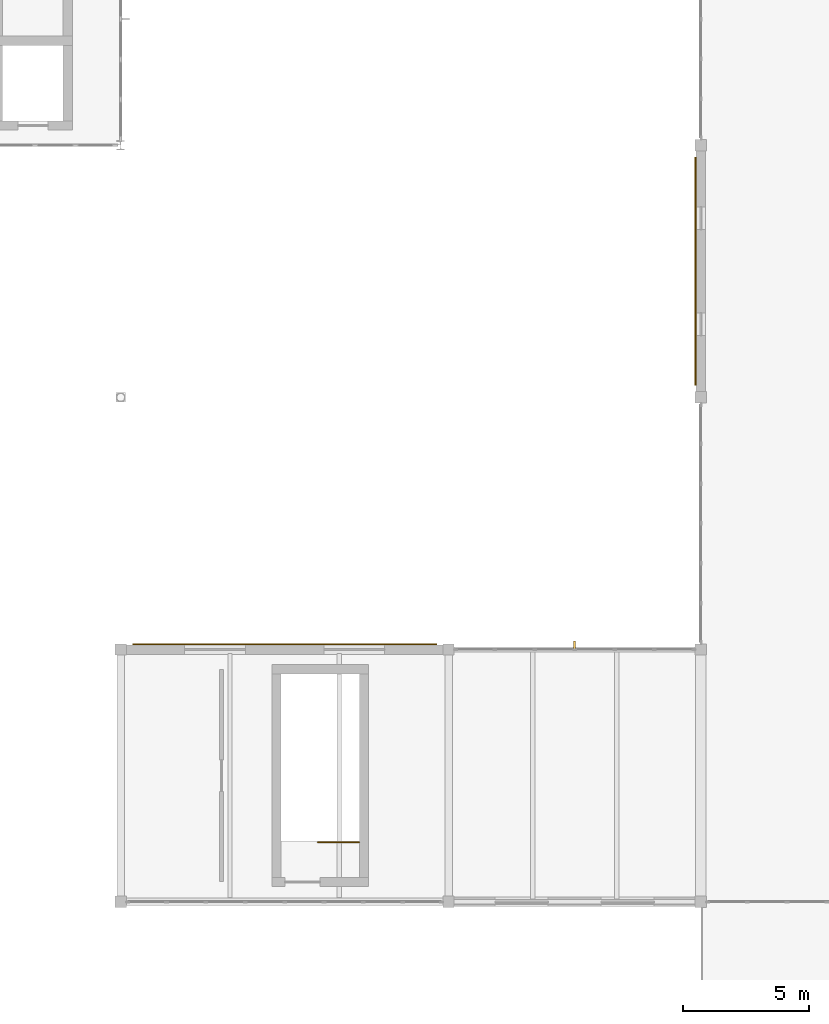
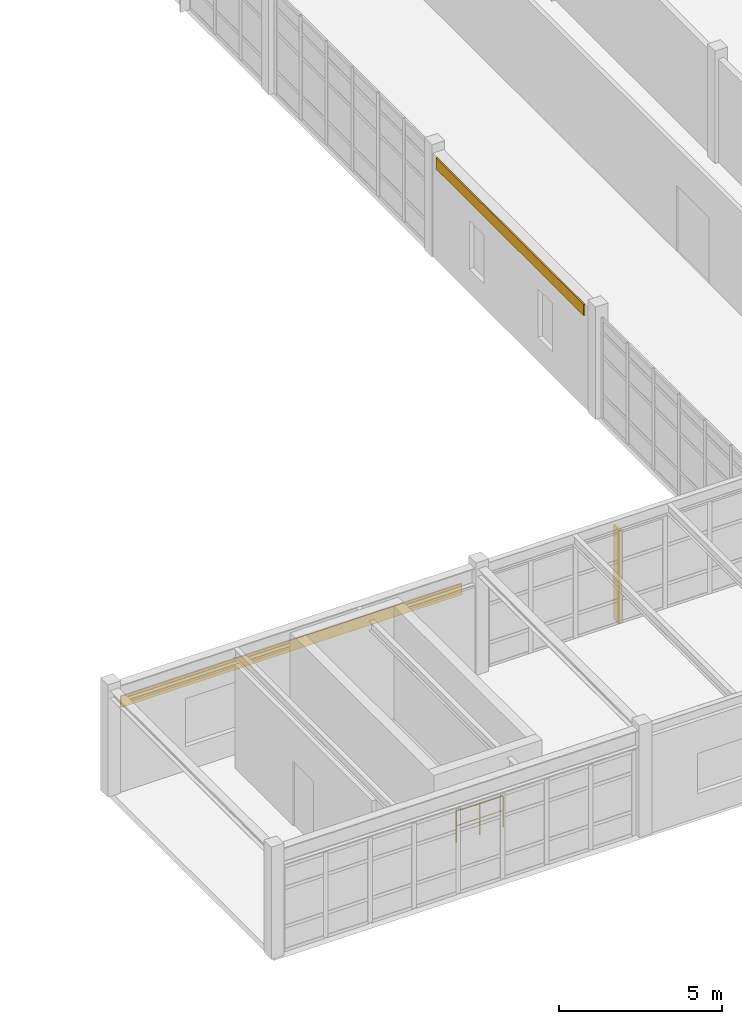
# One storey, part 120 of 122: 2 coverings, 1 railing, 1 shading device.
"""IFC4 building model written with IfcOpenShell, lengths in metres."""

from ifc_helpers import new_model, si_unit, direction, frame, origin, origin_2d, place, context, subcontext, project, spatial, polyline, rectangle, circle, outline, extrude, material, layer, layer_set, type_object, element, save


model = new_model("IFC4")

# Units and contexts
model_context = context("Model", 3, precision=1e-05, world=origin(), true_north=direction((0.0, 1.0)))
body_context = subcontext(model_context, "Body", "Model", "MODEL_VIEW")
ifc_project = project(units=[si_unit("LENGTHUNIT", "METRE"), si_unit("AREAUNIT", "SQUARE_METRE"), si_unit("VOLUMEUNIT", "CUBIC_METRE"), si_unit("PLANEANGLEUNIT", "RADIAN"), si_unit("MASSUNIT", "GRAM", prefix="KILO"), si_unit("THERMODYNAMICTEMPERATUREUNIT", "KELVIN"), si_unit("POWERUNIT", "WATT")], contexts=[model_context])

# Site, building, storey
site_placement = place(None, origin())
site = spatial("IfcSite", under=ifc_project, at=site_placement, CompositionType="ELEMENT")
building_placement = place(site_placement, origin())
building = spatial("IfcBuilding", under=site, at=building_placement, Name="Korenveer Ferry Terminal", CompositionType="ELEMENT")
storey_placement = place(building_placement, frame((0.0, 0.0, 10.199951171875)))
storey = spatial("IfcBuildingStorey", under=building, at=storey_placement, Name="L02", CompositionType="ELEMENT", Elevation=10.199951171875)

# Coverings
ifc_material_1 = material(Name="Carved Belgian bluestone spandrel cladding", Category="masonry")
ifc_layer = layer(ifc_material_1, 0.050048828125)
ifc_layer_set = layer_set([ifc_layer], Name="Carved Belgian bluestone spandrel cladding")
covering_type = type_object("IfcCoveringType", Name="ENV-COV-STONE", PredefinedType="CLADDING", material=ifc_layer_set)
covering_1_placement = place(storey_placement, frame((0.0, 0.0, 2.860107421875)))
element("IfcCovering", 1, at=covering_1_placement, inside=storey, type_object=covering_type, Name="Belgian bluestone spandrel band 20", PredefinedType="CLADDING", context=body_context, shape_type="SweptSolid", body=[
    extrude(outline(polyline([(123.47509765625, 30.18505859375), (135.52490234375, 30.18505859375), (135.52490234375, 30.235107421875), (123.47509765625, 30.235107421875), (123.47509765625, 30.18505859375)])), origin(), (0.0, 0.0, 1.0), 0.419921875),
])
covering_2_placement = place(storey_placement, frame((0.0, 0.0, 3.4599609375)))
element("IfcCovering", 2, at=covering_2_placement, inside=storey, type_object=covering_type, Name="Belgian bluestone spandrel band 22", PredefinedType="CLADDING", context=body_context, shape_type="SweptSolid", body=[
    extrude(outline(polyline([(145.764892578125, 40.47509765625), (145.81494140625, 40.47509765625), (145.81494140625, 49.52490234375), (145.764892578125, 49.52490234375), (145.764892578125, 40.47509765625)])), origin(), (0.0, 0.0, 1.0), 0.420166015625),
])

# Shading device
ifc_material_2 = material(Name="Anodised bronze aluminium solar fin", Category="aluminium")
shading_device_type = type_object("IfcShadingDeviceType", Name="ENV-SHD-FIN", PredefinedType="JALOUSIE", material=ifc_material_2)
shading_device_placement = place(storey_placement, frame((141.0, 30.159912109375, -0.02001953125), z_axis=(0.0, 0.0, 1.0), x_axis=(0.0, 1.0, 0.0)))
element("IfcShadingDevice", 3, at=shading_device_placement, inside=storey, type_object=shading_device_type, Name="Gothic solar fin 40", PredefinedType="JALOUSIE", context=body_context, shape_type="SweptSolid", body=[
    extrude(rectangle(XDim=0.360107421875, YDim=0.080078125, at=origin_2d()), origin(), (0.0, 0.0, 1.0), 3.5),
])

# Railing
ifc_material_3 = material(Name="Painted steel stair guard", Category="steel")
railing_type = type_object("IfcRailingType", Name="INT-RL-STGRD", PredefinedType="GUARDRAIL", material=ifc_material_3)
railing_placement = place(storey_placement, frame((132.4599609375, 22.360107421875, 0.0)))
element("IfcRailing", 4, at=railing_placement, inside=storey, type_object=railing_type, Name="L02 ST10 top well guard 1", PredefinedType="GUARDRAIL", context=body_context, shape_type="SweptSolid", body=[
    extrude(circle(Radius=0.02392578125, at=origin_2d()), frame((0.0, 0.0, 1.17578125), z_axis=(-1.0, 0.0, 0.0), x_axis=(0.0, -1.0, 0.0)), (0.0, 0.0, 1.0), 1.64990234375),
    extrude(circle(Radius=0.01806640625, at=origin_2d()), frame((0.0, 0.0, 0.6240234375), z_axis=(-1.0, 0.0, 0.0), x_axis=(0.0, -1.0, 0.0)), (0.0, 0.0, 1.0), 1.64990234375),
    extrude(circle(Radius=0.02099609375, at=origin_2d()), origin(), (0.0, 0.0, 1.0), 1.15185546875),
    extrude(circle(Radius=0.02099609375, at=origin_2d()), frame((-0.824951171875, 0.0, 0.0)), (0.0, 0.0, 1.0), 1.15185546875),
    extrude(circle(Radius=0.02099609375, at=origin_2d()), frame((-1.64990234375, 0.0, 0.0)), (0.0, 0.0, 1.0), 1.15185546875),
])

save(model, "model.ifc")
